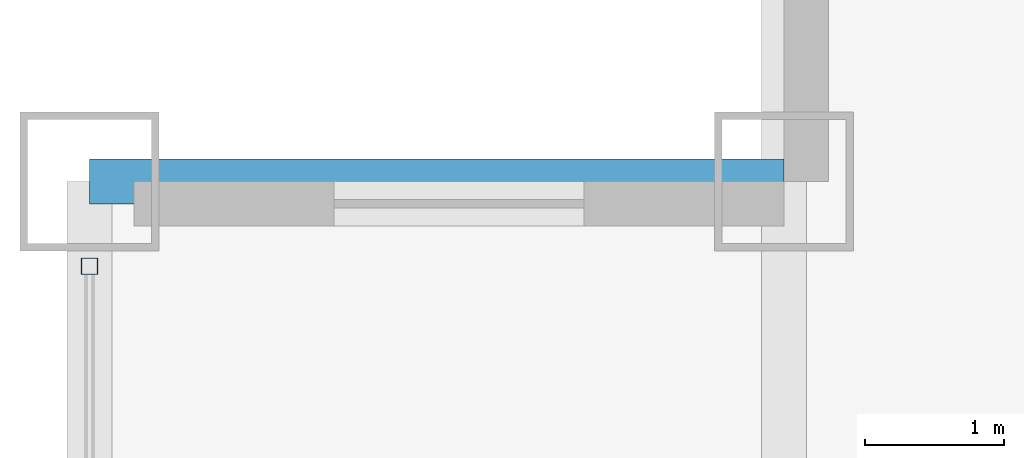
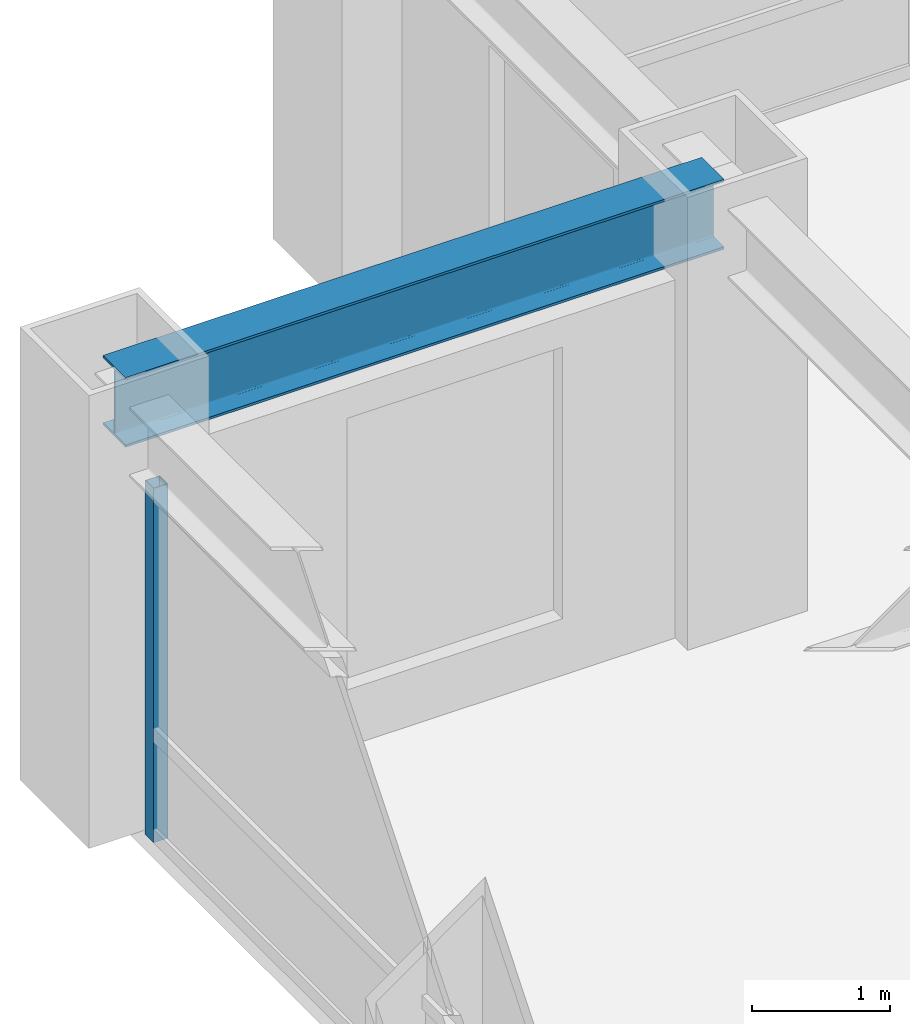
# One storey, part 12 of 25: 1 beam, 1 member, 1 element without a shape of its own.
"""IFC4 building model written with IfcOpenShell, lengths in metres."""

from ifc_helpers import new_model, si_unit, direction, frame, origin, origin_2d, place, context, subcontext, project, spatial, hollow_rectangle, i_section, extrude, source, transform, mapped, material, material_profile, profile_set, type_object, element, aggregate, save


model = new_model("IFC4")

# Units and contexts
model_context = context("Model", 3, precision=1e-05, world=origin(), true_north=direction((0.0, 1.0)))
body_context = subcontext(model_context, "Body", "Model", "MODEL_VIEW")
ifc_project = project(units=[si_unit("LENGTHUNIT", "METRE"), si_unit("AREAUNIT", "SQUARE_METRE"), si_unit("VOLUMEUNIT", "CUBIC_METRE"), si_unit("PLANEANGLEUNIT", "RADIAN"), si_unit("MASSUNIT", "GRAM", prefix="KILO")], contexts=[model_context])

# Site, building, storey
site_placement = place(None, origin())
site = spatial("IfcSite", under=ifc_project, at=site_placement, CompositionType="ELEMENT")
building_placement = place(site_placement, origin())
building = spatial("IfcBuilding", under=site, at=building_placement, Name="Khorayat Bourse Tower", CompositionType="ELEMENT")
storey_placement = place(building_placement, frame((0.0, 0.0, 255.10009765625)))
storey = spatial("IfcBuildingStorey", under=building, at=storey_placement, Name="L60", CompositionType="ELEMENT", Elevation=255.10009765625)

# Beam
ifc_material_1 = material(Name="Steel ASTM A992 Grade 50", Category="steel")
ifc_material_profile_1 = material_profile(ifc_material_1, i_section(OverallWidth=0.324951171875, OverallDepth=0.615966796875, WebThickness=0.013916015625, FlangeThickness=0.021484375, FilletRadius=0.01611328125, at=origin_2d()), Name="W610X174")
ifc_profile_set_1 = profile_set([ifc_material_profile_1], Name="Steel ASTM A992 Grade 50")
beam_type = type_object("IfcBeamType", Name="BM-SPAN-610", PredefinedType="SPANDREL", material=ifc_profile_set_1)
shared_shape_1 = source(origin(), body_context, "Body", "SweptSolid", [
    extrude(i_section(OverallWidth=0.324951171875, OverallDepth=0.615966796875, WebThickness=0.013916015625, FlangeThickness=0.021484375, FilletRadius=0.01611328125, at=origin_2d()), origin(), (0.0, 0.0, 1.0), 5.0),
])
beam_placement = place(storey_placement, frame((-30.0, 25.0, 3.471923828125), z_axis=(1.0, 0.0, 0.0), x_axis=(0.0, 1.0, 0.0)))
element("IfcBeam", 1, at=beam_placement, inside=storey, type_object=beam_type, Name="L60 BM-SPAN-610 BM-L60-SPN-053", PredefinedType="SPANDREL", context=body_context, shape_type="MappedRepresentation", body=[
    mapped(shared_shape_1, transform((0.0, 0.0, 0.0), scale=1.0)),
])

# Curtain wall, member
ifc_material_2 = material(Name="Aluminium EN AW-6063 T6", Category="aluminium")
curtain_wall_type = type_object("IfcCurtainWallType", Name="CW-SYS-03", PredefinedType="NOTDEFINED", material=ifc_material_2)
curtain_wall_placement = place(storey_placement, origin())
curtain_wall = element("IfcCurtainWall", 2, at=curtain_wall_placement, inside=storey, type_object=curtain_wall_type, Name="L60 Curtain Wall CW-L60-W1", PredefinedType="NOTDEFINED")
ifc_material_profile_2 = material_profile(ifc_material_2, hollow_rectangle(XDim=0.1201171875, YDim=0.1201171875, WallThickness=0.0048828125, at=origin_2d()), Name="ALU 120x120x5")
ifc_profile_set_2 = profile_set([ifc_material_profile_2], Name="Aluminium EN AW-6063 T6")
member_type = type_object("IfcMemberType", Name="CWM-VERT-120", PredefinedType="MULLION", material=ifc_profile_set_2)
shared_shape_2 = source(origin(), body_context, "Body", "SweptSolid", [
    extrude(hollow_rectangle(XDim=0.1201171875, YDim=0.1201171875, WallThickness=0.0048828125, at=origin_2d()), origin(), (0.0, 0.0, 1.0), 3.1298828125),
])
member_placement = place(storey_placement, frame((-30.0, 24.389892578125, 0.0), z_axis=(0.0, 0.0, 1.0), x_axis=(-1.0, 0.0, 0.0)))
member = element("IfcMember", 3, at=member_placement, type_object=member_type, Name="CW-L60-W1 Vertical Mullion 3", PredefinedType="MULLION", context=body_context, shape_type="MappedRepresentation", body=[
    mapped(shared_shape_2, transform((0.0, 0.0, 0.0), scale=1.0)),
])
aggregate(curtain_wall, [member])

save(model, "model.ifc")
